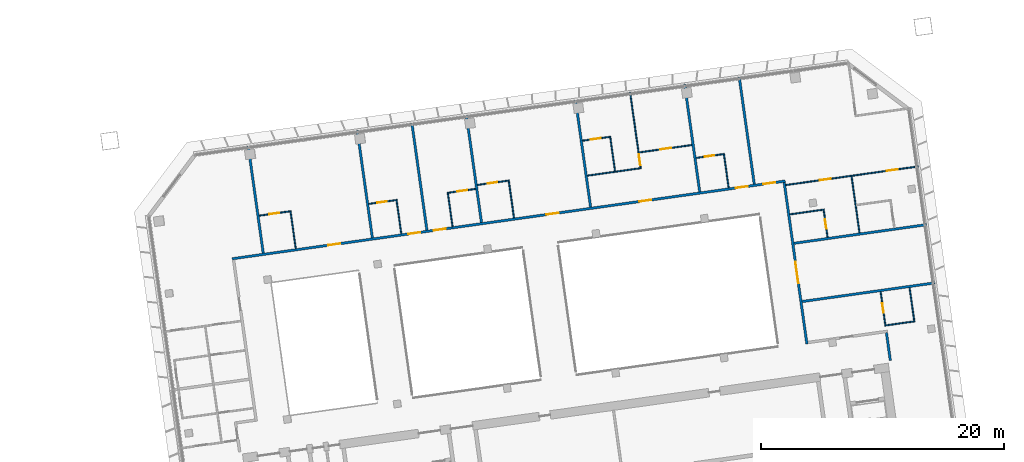
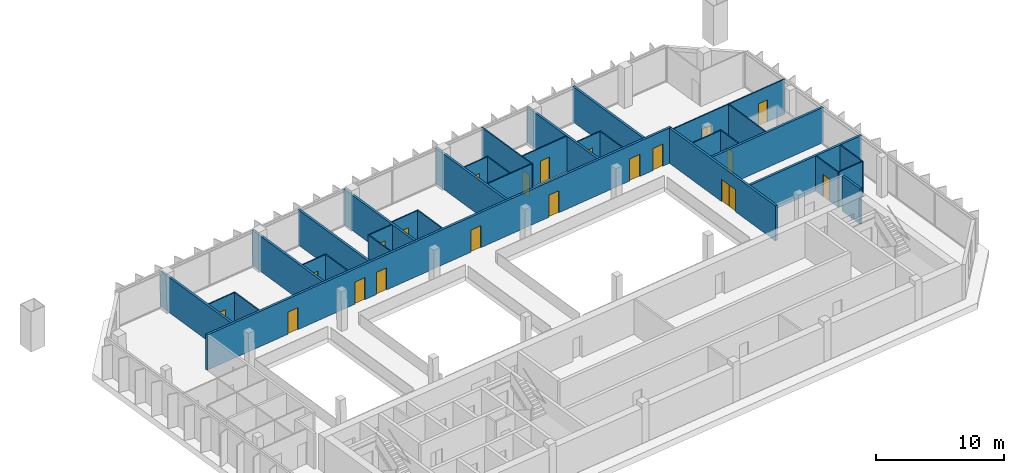
# One storey, part 22 of 26: 34 walls, 20 doors, 20 openings.
"""IFC4 building model written with IfcOpenShell, lengths in metres."""

from ifc_helpers import new_model, si_unit, direction, frame, frame_2d, origin, place, context, subcontext, project, spatial, rectangle, extrude, material, layer, layer_set, type_object, element, fill, save


model = new_model("IFC4")

# Units and contexts
model_context = context("Model", 3, precision=1e-05, world=origin(), true_north=direction((0.0, 1.0)))
body_context = subcontext(model_context, "Body", "Model", "MODEL_VIEW")
ifc_project = project(units=[si_unit("LENGTHUNIT", "METRE"), si_unit("AREAUNIT", "SQUARE_METRE"), si_unit("VOLUMEUNIT", "CUBIC_METRE"), si_unit("PLANEANGLEUNIT", "RADIAN"), si_unit("MASSUNIT", "GRAM", prefix="KILO")], contexts=[model_context])

# Site, building, storey
site_placement = place(None, origin())
site = spatial("IfcSite", under=ifc_project, at=site_placement, CompositionType="ELEMENT")
building_placement = place(site_placement, origin())
building = spatial("IfcBuilding", under=site, at=building_placement, Name="Mirante Cascada Hotel Towers", CompositionType="ELEMENT")
storey_placement = place(building_placement, frame((0.0, 0.0, 168.8)))
storey = spatial("IfcBuildingStorey", under=building, at=storey_placement, Name="L39", CompositionType="ELEMENT", Elevation=168.8)

# Walls
ifc_material_1 = material(Name="Fire-rated plasterboard on metal studs")
ifc_layer_1 = layer(ifc_material_1, 0.2)
ifc_layer_set_1 = layer_set([ifc_layer_1], Name="Compartment wall 200 EI 120")
wall_type_1 = type_object("IfcWallType", Name="Compartment wall 200 EI 120", PredefinedType="PARTITIONING", material=ifc_layer_set_1)
wall_1_placement = place(storey_placement, frame((81.4939, 5.237, 0.0), z_axis=(0.0, 0.0, 1.0), x_axis=(0.9902682, 0.1391721, 0.0)))
element("IfcWall", 1, at=wall_1_placement, inside=storey, type_object=wall_type_1, Name="Wall 2-L39-08", PredefinedType="PARTITIONING", context=body_context, shape_type="SweptSolid", body=[
    extrude(rectangle(XDim=11.0001, YDim=0.2, at=frame_2d((5.5, 0.0))), origin(), (0.0, 0.0, 1.0), 3.35),
])
wall_2_placement = place(storey_placement, frame((91.7142, 11.5542, 0.0), z_axis=(0.0, 0.0, 1.0), x_axis=(-0.990268, -0.1391733, 0.0)))
element("IfcWall", 2, at=wall_2_placement, inside=storey, type_object=wall_type_1, Name="Wall 2-L39-11", PredefinedType="PARTITIONING", context=body_context, shape_type="SweptSolid", body=[
    extrude(rectangle(XDim=11.0, YDim=0.2, at=frame_2d((5.5, 0.0))), origin(), (0.0, 0.0, 1.0), 3.35),
])

# Wall, openings, doors
wall_3_placement = place(storey_placement, frame((80.1022, 15.1397, 0.0), z_axis=(0.0, 0.0, 1.0), x_axis=(-0.9902679, -0.1391743, 0.0)))
wall_3 = element("IfcWall", 3, at=wall_3_placement, inside=storey, type_object=wall_type_1, Name="Wall 2-L39-15", PredefinedType="PARTITIONING", context=body_context, shape_type="SweptSolid", body=[
    extrude(rectangle(XDim=45.9, YDim=0.2, at=frame_2d((22.95, 0.0))), origin(), (0.0, 0.0, 1.0), 3.35),
])
opening_1_placement = place(wall_3_placement, frame((36.9314, 0.0, 0.0)))
opening_1 = element("IfcOpeningElement", 4, at=opening_1_placement, cuts=wall_3, Name="Opening D2-L39-11", PredefinedType="OPENING", context=body_context, shape_type="SweptSolid", body=[
    extrude(rectangle(XDim=1.0, YDim=2.1, at=frame_2d((0.5, 1.05))), frame((0.0, 0.1, 0.0), z_axis=(0.0, -1.0, 0.0), x_axis=(1.0, 0.0, 0.0)), (0.0, 0.0, 1.0), 0.2),
])
opening_2_placement = place(wall_3_placement, frame((30.2892, 0.0, 0.0)))
opening_2 = element("IfcOpeningElement", 5, at=opening_2_placement, cuts=wall_3, Name="Opening D2-L39-12", PredefinedType="OPENING", context=body_context, shape_type="SweptSolid", body=[
    extrude(rectangle(XDim=1.0, YDim=2.1, at=frame_2d((0.5, 1.05))), frame((0.0, 0.1, 0.0), z_axis=(0.0, -1.0, 0.0), x_axis=(1.0, 0.0, 0.0)), (0.0, 0.0, 1.0), 0.2),
])
opening_3_placement = place(wall_3_placement, frame((28.1611, 0.0, 0.0)))
opening_3 = element("IfcOpeningElement", 6, at=opening_3_placement, cuts=wall_3, Name="Opening D2-L39-13", PredefinedType="OPENING", context=body_context, shape_type="SweptSolid", body=[
    extrude(rectangle(XDim=1.0, YDim=2.1, at=frame_2d((0.5, 1.05))), frame((0.0, 0.1, 0.0), z_axis=(0.0, -1.0, 0.0), x_axis=(1.0, 0.0, 0.0)), (0.0, 0.0, 1.0), 0.2),
])
opening_4_placement = place(wall_3_placement, frame((18.8188, 0.0, 0.0)))
opening_4 = element("IfcOpeningElement", 7, at=opening_4_placement, cuts=wall_3, Name="Opening D2-L39-14", PredefinedType="OPENING", context=body_context, shape_type="SweptSolid", body=[
    extrude(rectangle(XDim=1.0, YDim=2.1, at=frame_2d((0.5, 1.05))), frame((0.0, 0.1, 0.0), z_axis=(0.0, -1.0, 0.0), x_axis=(1.0, 0.0, 0.0)), (0.0, 0.0, 1.0), 0.2),
])
opening_5_placement = place(wall_3_placement, frame((11.1125, 0.0, 0.0)))
opening_5 = element("IfcOpeningElement", 8, at=opening_5_placement, cuts=wall_3, Name="Opening D2-L39-15", PredefinedType="OPENING", context=body_context, shape_type="SweptSolid", body=[
    extrude(rectangle(XDim=1.0, YDim=2.1, at=frame_2d((0.5, 1.05))), frame((0.0, 0.1, 0.0), z_axis=(0.0, -1.0, 0.0), x_axis=(1.0, 0.0, 0.0)), (0.0, 0.0, 1.0), 0.2),
])
opening_6_placement = place(wall_3_placement, frame((3.1204, 0.0, 0.0)))
opening_6 = element("IfcOpeningElement", 9, at=opening_6_placement, cuts=wall_3, Name="Opening D2-L39-16", PredefinedType="OPENING", context=body_context, shape_type="SweptSolid", body=[
    extrude(rectangle(XDim=1.0, YDim=2.1, at=frame_2d((0.5, 1.05))), frame((0.0, 0.1, 0.0), z_axis=(0.0, -1.0, 0.0), x_axis=(1.0, 0.0, 0.0)), (0.0, 0.0, 1.0), 0.2),
])
opening_7_placement = place(wall_3_placement, frame((0.8282, 0.0, 0.0)))
opening_7 = element("IfcOpeningElement", 10, at=opening_7_placement, cuts=wall_3, Name="Opening D2-L39-17", PredefinedType="OPENING", context=body_context, shape_type="SweptSolid", body=[
    extrude(rectangle(XDim=1.0, YDim=2.1, at=frame_2d((0.5, 1.05))), frame((0.0, 0.1, 0.0), z_axis=(0.0, -1.0, 0.0), x_axis=(1.0, 0.0, 0.0)), (0.0, 0.0, 1.0), 0.2),
])
ifc_material_2 = material(Name="Fire-rated timber door leaf", Category="wood")
door_type_1 = type_object("IfcDoorType", Name="Entrance door DG1 1000x2100 EI 60", OperationType="SINGLE_SWING_LEFT", PredefinedType="DOOR", material=ifc_material_2)
door_1_placement = place(opening_1_placement, frame((1.0, 0.0, 0.0), z_axis=(0.0, 0.0, 1.0), x_axis=(-1.0, 0.0, 0.0)))
door_1 = element("IfcDoor", 11, at=door_1_placement, inside=storey, type_object=door_type_1, Name="Door D2-L39-11", OperationType="SINGLE_SWING_RIGHT", OverallHeight=2.1, OverallWidth=1.0, PredefinedType="DOOR", context=body_context, shape_type="SweptSolid", body=[
    extrude(rectangle(XDim=1.0, YDim=2.1, at=frame_2d((0.5, 1.05))), frame((0.0, 0.025, 0.0), z_axis=(0.0, -1.0, 0.0), x_axis=(1.0, 0.0, 0.0)), (0.0, 0.0, 1.0), 0.05),
])
fill(opening_1, door_1)
door_2_placement = place(opening_2_placement, frame((1.0, 0.0, 0.0), z_axis=(0.0, 0.0, 1.0), x_axis=(-1.0, 0.0, 0.0)))
door_2 = element("IfcDoor", 12, at=door_2_placement, inside=storey, type_object=door_type_1, Name="Door D2-L39-12", OperationType="SINGLE_SWING_RIGHT", OverallHeight=2.1, OverallWidth=1.0, PredefinedType="DOOR", context=body_context, shape_type="SweptSolid", body=[
    extrude(rectangle(XDim=1.0, YDim=2.1, at=frame_2d((0.5, 1.05))), frame((0.0, 0.025, 0.0), z_axis=(0.0, -1.0, 0.0), x_axis=(1.0, 0.0, 0.0)), (0.0, 0.0, 1.0), 0.05),
])
fill(opening_2, door_2)
door_3_placement = place(opening_3_placement, frame((1.0, 0.0, 0.0), z_axis=(0.0, 0.0, 1.0), x_axis=(-1.0, 0.0, 0.0)))
door_3 = element("IfcDoor", 13, at=door_3_placement, inside=storey, type_object=door_type_1, Name="Door D2-L39-13", OperationType="SINGLE_SWING_RIGHT", OverallHeight=2.1, OverallWidth=1.0, PredefinedType="DOOR", context=body_context, shape_type="SweptSolid", body=[
    extrude(rectangle(XDim=1.0, YDim=2.1, at=frame_2d((0.5, 1.05))), frame((0.0, 0.025, 0.0), z_axis=(0.0, -1.0, 0.0), x_axis=(1.0, 0.0, 0.0)), (0.0, 0.0, 1.0), 0.05),
])
fill(opening_3, door_3)
door_4_placement = place(opening_4_placement, frame((1.0, 0.0, 0.0), z_axis=(0.0, 0.0, 1.0), x_axis=(-1.0, 0.0, 0.0)))
door_4 = element("IfcDoor", 14, at=door_4_placement, inside=storey, type_object=door_type_1, Name="Door D2-L39-14", OperationType="SINGLE_SWING_RIGHT", OverallHeight=2.1, OverallWidth=1.0, PredefinedType="DOOR", context=body_context, shape_type="SweptSolid", body=[
    extrude(rectangle(XDim=1.0, YDim=2.1, at=frame_2d((0.5, 1.05))), frame((0.0, 0.025, 0.0), z_axis=(0.0, -1.0, 0.0), x_axis=(1.0, 0.0, 0.0)), (0.0, 0.0, 1.0), 0.05),
])
fill(opening_4, door_4)
door_5_placement = place(opening_5_placement, frame((1.0, 0.0, 0.0), z_axis=(0.0, 0.0, 1.0), x_axis=(-1.0, 0.0, 0.0)))
door_5 = element("IfcDoor", 15, at=door_5_placement, inside=storey, type_object=door_type_1, Name="Door D2-L39-15", OperationType="SINGLE_SWING_RIGHT", OverallHeight=2.1, OverallWidth=1.0, PredefinedType="DOOR", context=body_context, shape_type="SweptSolid", body=[
    extrude(rectangle(XDim=1.0, YDim=2.1, at=frame_2d((0.5, 1.05))), frame((0.0, 0.025, 0.0), z_axis=(0.0, -1.0, 0.0), x_axis=(1.0, 0.0, 0.0)), (0.0, 0.0, 1.0), 0.05),
])
fill(opening_5, door_5)
door_6_placement = place(opening_6_placement, frame((1.0, 0.0, 0.0), z_axis=(0.0, 0.0, 1.0), x_axis=(-1.0, 0.0, 0.0)))
door_6 = element("IfcDoor", 16, at=door_6_placement, inside=storey, type_object=door_type_1, Name="Door D2-L39-16", OperationType="SINGLE_SWING_RIGHT", OverallHeight=2.1, OverallWidth=1.0, PredefinedType="DOOR", context=body_context, shape_type="SweptSolid", body=[
    extrude(rectangle(XDim=1.0, YDim=2.1, at=frame_2d((0.5, 1.05))), frame((0.0, 0.025, 0.0), z_axis=(0.0, -1.0, 0.0), x_axis=(1.0, 0.0, 0.0)), (0.0, 0.0, 1.0), 0.05),
])
fill(opening_6, door_6)
door_7_placement = place(opening_7_placement, frame((1.0, 0.0, 0.0), z_axis=(0.0, 0.0, 1.0), x_axis=(-1.0, 0.0, 0.0)))
door_7 = element("IfcDoor", 17, at=door_7_placement, inside=storey, type_object=door_type_1, Name="Door D2-L39-17", OperationType="SINGLE_SWING_RIGHT", OverallHeight=2.1, OverallWidth=1.0, PredefinedType="DOOR", context=body_context, shape_type="SweptSolid", body=[
    extrude(rectangle(XDim=1.0, YDim=2.1, at=frame_2d((0.5, 1.05))), frame((0.0, 0.025, 0.0), z_axis=(0.0, -1.0, 0.0), x_axis=(1.0, 0.0, 0.0)), (0.0, 0.0, 1.0), 0.05),
])
fill(opening_7, door_7)

# Walls
for number, where, z_axis, x_axis, name in (
    (18, (37.2003, 9.2112, 0.0), (0.0, 0.0, 1.0), (-0.1391794, 0.9902672, 0.0), "Wall 2-L39-30"),
    (19, (46.1683, 10.4716, 0.0), (0.0, 0.0, 1.0), (-0.1391684, 0.9902687, 0.0), "Wall 2-L39-32"),
    (20, (50.6525, 11.1018, 0.0), (0.0, 0.0, 1.0), (-0.1391794, 0.9902672, 0.0), "Wall 2-L39-34"),
):
    element("IfcWall", number, at=place(storey_placement, frame(where, z_axis=z_axis, x_axis=x_axis)), inside=storey, type_object=wall_type_1, Name=name, PredefinedType="PARTITIONING", context=body_context, shape_type="SweptSolid", body=[
        extrude(rectangle(XDim=8.9, YDim=0.2, at=frame_2d((4.45, 0.0))), origin(), (0.0, 0.0, 1.0), 3.35),
    ])
for number, where, z_axis, x_axis, name in (
    (21, (55.1365, 11.732, 0.0), (0.0, 0.0, 1.0), (-0.13917, 0.9902685, 0.0), "Wall 2-L39-36"),
    (22, (64.1047, 12.9924, 0.0), (0.0, 0.0, 1.0), (-0.139181, 0.990267, 0.0), "Wall 2-L39-38"),
    (23, (71.8342, 23.0661, 0.0), (0.0, 0.0, 1.0), (0.13917, -0.9902685, 0.0), "Wall 2-L39-41"),
):
    element("IfcWall", number, at=place(storey_placement, frame(where, z_axis=z_axis, x_axis=x_axis)), inside=storey, type_object=wall_type_1, Name=name, PredefinedType="PARTITIONING", context=body_context, shape_type="SweptSolid", body=[
        extrude(rectangle(XDim=8.8999, YDim=0.2, at=frame_2d((4.45, 0.0))), origin(), (0.0, 0.0, 1.0), 3.35),
    ])
wall_4_placement = place(storey_placement, frame((76.3182, 23.6963, 0.0), z_axis=(0.0, 0.0, 1.0), x_axis=(0.1391794, -0.9902672, 0.0)))
element("IfcWall", 24, at=wall_4_placement, inside=storey, type_object=wall_type_1, Name="Wall 2-L39-43", PredefinedType="PARTITIONING", context=body_context, shape_type="SweptSolid", body=[
    extrude(rectangle(XDim=8.9, YDim=0.2, at=frame_2d((4.45, 0.0))), origin(), (0.0, 0.0, 1.0), 3.35),
])

# Wall, opening, door
wall_5_placement = place(storey_placement, frame((81.882, 1.7571, 0.0), z_axis=(0.0, 0.0, 1.0), x_axis=(-0.1391716, 0.9902683, 0.0)))
wall_5 = element("IfcWall", 25, at=wall_5_placement, inside=storey, type_object=wall_type_1, Name="Wall 2-L39-44", PredefinedType="PARTITIONING", context=body_context, shape_type="SweptSolid", body=[
    extrude(rectangle(XDim=13.4, YDim=0.2, at=frame_2d((6.7, 0.0))), origin(), (0.0, 0.0, 1.0), 3.35),
])
opening_8_placement = place(wall_5_placement, frame((5.0167, 0.0, 0.0)))
opening_8 = element("IfcOpeningElement", 26, at=opening_8_placement, cuts=wall_5, Name="Opening D2-L39-30", PredefinedType="OPENING", context=body_context, shape_type="SweptSolid", body=[
    extrude(rectangle(XDim=1.8, YDim=2.1, at=frame_2d((0.9, 1.05))), frame((0.0, 0.1, 0.0), z_axis=(0.0, -1.0, 0.0), x_axis=(1.0, 0.0, 0.0)), (0.0, 0.0, 1.0), 0.2),
])
ifc_material_3 = material(Name="Fire-rated timber door leaf", Category="wood")
door_type_2 = type_object("IfcDoorType", Name="Suite double door DG2 1800x2100 EI 60", OperationType="DOUBLE_DOOR_SINGLE_SWING", PredefinedType="DOOR", material=ifc_material_3)
door_8_placement = place(opening_8_placement, origin())
door_8 = element("IfcDoor", 27, at=door_8_placement, inside=storey, type_object=door_type_2, Name="Door D2-L39-30", OperationType="DOUBLE_DOOR_SINGLE_SWING", OverallHeight=2.1, OverallWidth=1.8, PredefinedType="DOOR", context=body_context, shape_type="SweptSolid", body=[
    extrude(rectangle(XDim=0.895, YDim=2.1, at=frame_2d((0.4475, 1.05))), frame((0.0, 0.025, 0.0), z_axis=(0.0, -1.0, 0.0), x_axis=(1.0, 0.0, 0.0)), (0.0, 0.0, 1.0), 0.05),
    extrude(rectangle(XDim=0.895, YDim=2.1, at=frame_2d((1.3525, 1.05))), frame((0.0, 0.025, 0.0), z_axis=(0.0, -1.0, 0.0), x_axis=(1.0, 0.0, 0.0)), (0.0, 0.0, 1.0), 0.05),
])
fill(opening_8, door_8)

# Walls
wall_6_placement = place(storey_placement, frame((88.4178, 2.6757, 0.0), z_axis=(0.0, 0.0, 1.0), x_axis=(0.1391749, -0.9902678, 0.0)))
element("IfcWall", 28, at=wall_6_placement, inside=storey, type_object=wall_type_1, Name="Wall 2-L39-47", PredefinedType="PARTITIONING", context=body_context, shape_type="SweptSolid", body=[
    extrude(rectangle(XDim=2.3, YDim=0.2, at=frame_2d((1.15, 0.0))), origin(), (0.0, 0.0, 1.0), 3.35),
])
ifc_material_4 = material(Name="Plasterboard on metal studs")
ifc_layer_2 = layer(ifc_material_4, 0.1)
ifc_layer_set_2 = layer_set([ifc_layer_2], Name="Partition 100")
wall_type_2 = type_object("IfcWallType", Name="Partition 100", PredefinedType="PARTITIONING", material=ifc_layer_set_2)
wall_7_placement = place(storey_placement, frame((90.6614, 3.5969, 0.0), z_axis=(0.0, 0.0, 1.0), x_axis=(-0.9902678, -0.1391749, 0.0)))
element("IfcWall", 29, at=wall_7_placement, inside=storey, type_object=wall_type_2, Name="Wall 2-L39-05", PredefinedType="PARTITIONING", context=body_context, shape_type="SweptSolid", body=[
    extrude(rectangle(XDim=2.3, YDim=0.1, at=frame_2d((1.15, 0.0))), origin(), (0.0, 0.0, 1.0), 3.35),
])
wall_8_placement = place(storey_placement, frame((80.4873, 12.3999, 0.0), z_axis=(0.0, 0.0, 1.0), x_axis=(0.9902649, 0.1391957, 0.0)))
element("IfcWall", 30, at=wall_8_placement, inside=storey, type_object=wall_type_2, Name="Wall 2-L39-12", PredefinedType="PARTITIONING", context=body_context, shape_type="SweptSolid", body=[
    extrude(rectangle(XDim=2.8499, YDim=0.1, at=frame_2d((1.425, 0.0))), origin(), (0.0, 0.0, 1.0), 3.35),
])

# Wall, openings, doors
wall_9_placement = place(storey_placement, frame((80.1486, 14.8096, 0.0), z_axis=(0.0, 0.0, 1.0), x_axis=(0.990268, 0.1391733, 0.0)))
wall_9 = element("IfcWall", 31, at=wall_9_placement, inside=storey, type_object=wall_type_2, Name="Wall 2-L39-14", PredefinedType="PARTITIONING", context=body_context, shape_type="SweptSolid", body=[
    extrude(rectangle(XDim=11.0, YDim=0.1, at=frame_2d((5.5, 0.0))), origin(), (0.0, 0.0, 1.0), 3.35),
])
opening_9_placement = place(wall_9_placement, frame((2.825, 0.0, 0.0)))
opening_9 = element("IfcOpeningElement", 32, at=opening_9_placement, cuts=wall_9, Name="Opening D2-L39-09", PredefinedType="OPENING", context=body_context, shape_type="SweptSolid", body=[
    extrude(rectangle(XDim=0.9, YDim=2.1, at=frame_2d((0.45, 1.05))), frame((0.0, 0.05, 0.0), z_axis=(0.0, -1.0, 0.0), x_axis=(1.0, 0.0, 0.0)), (0.0, 0.0, 1.0), 0.1),
])
opening_10_placement = place(wall_9_placement, frame((8.375, 0.0, 0.0)))
opening_10 = element("IfcOpeningElement", 33, at=opening_10_placement, cuts=wall_9, Name="Opening D2-L39-10", PredefinedType="OPENING", context=body_context, shape_type="SweptSolid", body=[
    extrude(rectangle(XDim=0.9, YDim=2.1, at=frame_2d((0.45, 1.05))), frame((0.0, 0.05, 0.0), z_axis=(0.0, -1.0, 0.0), x_axis=(1.0, 0.0, 0.0)), (0.0, 0.0, 1.0), 0.1),
])
ifc_material_5 = material(Name="Timber door leaf", Category="wood")
door_type_3 = type_object("IfcDoorType", Name="Room door DG3 900x2100", OperationType="SINGLE_SWING_LEFT", PredefinedType="DOOR", material=ifc_material_5)
door_9_placement = place(opening_9_placement, origin())
door_9 = element("IfcDoor", 34, at=door_9_placement, inside=storey, type_object=door_type_3, Name="Door D2-L39-09", OperationType="SINGLE_SWING_LEFT", OverallHeight=2.1, OverallWidth=0.9, PredefinedType="DOOR", context=body_context, shape_type="SweptSolid", body=[
    extrude(rectangle(XDim=0.9, YDim=2.1, at=frame_2d((0.45, 1.05))), frame((0.0, 0.025, 0.0), z_axis=(0.0, -1.0, 0.0), x_axis=(1.0, 0.0, 0.0)), (0.0, 0.0, 1.0), 0.05),
])
fill(opening_9, door_9)
door_10_placement = place(opening_10_placement, origin())
door_10 = element("IfcDoor", 35, at=door_10_placement, inside=storey, type_object=door_type_3, Name="Door D2-L39-10", OperationType="SINGLE_SWING_LEFT", OverallHeight=2.1, OverallWidth=0.9, PredefinedType="DOOR", context=body_context, shape_type="SweptSolid", body=[
    extrude(rectangle(XDim=0.9, YDim=2.1, at=frame_2d((0.45, 1.05))), frame((0.0, 0.025, 0.0), z_axis=(0.0, -1.0, 0.0), x_axis=(1.0, 0.0, 0.0)), (0.0, 0.0, 1.0), 0.05),
])
fill(opening_10, door_10)

# Wall
wall_10_placement = place(storey_placement, frame((63.8418, 15.581, 0.0), z_axis=(0.0, 0.0, 1.0), x_axis=(0.9902685, 0.1391698, 0.0)))
element("IfcWall", 36, at=wall_10_placement, inside=storey, type_object=wall_type_2, Name="Wall 2-L39-16", PredefinedType="PARTITIONING", context=body_context, shape_type="SweptSolid", body=[
    extrude(rectangle(XDim=4.3781, YDim=0.1, at=frame_2d((2.189, 0.0))), origin(), (0.0, 0.0, 1.0), 3.35),
])

# Wall, opening, door
wall_11_placement = place(storey_placement, frame((48.1058, 13.5714, 0.0), z_axis=(0.0, 0.0, 1.0), x_axis=(-0.9902643, -0.1391997, 0.0)))
wall_11 = element("IfcWall", 37, at=wall_11_placement, inside=storey, type_object=wall_type_2, Name="Wall 2-L39-17", PredefinedType="PARTITIONING", context=body_context, shape_type="SweptSolid", body=[
    extrude(rectangle(XDim=2.25, YDim=0.1, at=frame_2d((1.125, 0.0))), origin(), (0.0, 0.0, 1.0), 3.35),
])
opening_11_placement = place(wall_11_placement, frame((0.75, 0.0, 0.0)))
opening_11 = element("IfcOpeningElement", 38, at=opening_11_placement, cuts=wall_11, Name="Opening D2-L39-18", PredefinedType="OPENING", context=body_context, shape_type="SweptSolid", body=[
    extrude(rectangle(XDim=0.8, YDim=2.1, at=frame_2d((0.4, 1.05))), frame((0.0, 0.05, 0.0), z_axis=(0.0, -1.0, 0.0), x_axis=(1.0, 0.0, 0.0)), (0.0, 0.0, 1.0), 0.1),
])
ifc_material_6 = material(Name="Timber door leaf", Category="wood")
door_type_4 = type_object("IfcDoorType", Name="Bathroom door DG4 800x2100", OperationType="SINGLE_SWING_LEFT", PredefinedType="DOOR", material=ifc_material_6)
door_11_placement = place(opening_11_placement, frame((0.8, 0.0, 0.0), z_axis=(0.0, 0.0, 1.0), x_axis=(-1.0, 0.0, 0.0)))
door_11 = element("IfcDoor", 39, at=door_11_placement, inside=storey, type_object=door_type_4, Name="Door D2-L39-18", OperationType="SINGLE_SWING_RIGHT", OverallHeight=2.1, OverallWidth=0.8, PredefinedType="DOOR", context=body_context, shape_type="SweptSolid", body=[
    extrude(rectangle(XDim=0.8, YDim=2.1, at=frame_2d((0.4, 1.05))), frame((0.0, 0.025, 0.0), z_axis=(0.0, -1.0, 0.0), x_axis=(1.0, 0.0, 0.0)), (0.0, 0.0, 1.0), 0.05),
])
fill(opening_11, door_11)

wall_12_placement = place(storey_placement, frame((52.4197, 14.1777, 0.0), z_axis=(0.0, 0.0, 1.0), x_axis=(0.9902705, 0.1391561, 0.0)))
wall_12 = element("IfcWall", 40, at=wall_12_placement, inside=storey, type_object=wall_type_2, Name="Wall 2-L39-18", PredefinedType="PARTITIONING", context=body_context, shape_type="SweptSolid", body=[
    extrude(rectangle(XDim=2.25, YDim=0.1, at=frame_2d((1.125, 0.0))), origin(), (0.0, 0.0, 1.0), 3.35),
])
opening_12_placement = place(wall_12_placement, frame((0.75, 0.0, 0.0)))
opening_12 = element("IfcOpeningElement", 41, at=opening_12_placement, cuts=wall_12, Name="Opening D2-L39-19", PredefinedType="OPENING", context=body_context, shape_type="SweptSolid", body=[
    extrude(rectangle(XDim=0.8, YDim=2.1, at=frame_2d((0.4, 1.05))), frame((0.0, 0.05, 0.0), z_axis=(0.0, -1.0, 0.0), x_axis=(1.0, 0.0, 0.0)), (0.0, 0.0, 1.0), 0.1),
])
door_12_placement = place(opening_12_placement, origin())
door_12 = element("IfcDoor", 42, at=door_12_placement, inside=storey, type_object=door_type_4, Name="Door D2-L39-19", OperationType="SINGLE_SWING_LEFT", OverallHeight=2.1, OverallWidth=0.8, PredefinedType="DOOR", context=body_context, shape_type="SweptSolid", body=[
    extrude(rectangle(XDim=0.8, YDim=2.1, at=frame_2d((0.4, 1.05))), frame((0.0, 0.025, 0.0), z_axis=(0.0, -1.0, 0.0), x_axis=(1.0, 0.0, 0.0)), (0.0, 0.0, 1.0), 0.05),
])
fill(opening_12, door_12)

wall_13_placement = place(storey_placement, frame((75.0103, 17.3526, 0.0), z_axis=(0.0, 0.0, 1.0), x_axis=(-0.9902643, -0.1391997, 0.0)))
wall_13 = element("IfcWall", 43, at=wall_13_placement, inside=storey, type_object=wall_type_2, Name="Wall 2-L39-19", PredefinedType="PARTITIONING", context=body_context, shape_type="SweptSolid", body=[
    extrude(rectangle(XDim=2.25, YDim=0.1, at=frame_2d((1.125, 0.0))), origin(), (0.0, 0.0, 1.0), 3.35),
])
opening_13_placement = place(wall_13_placement, frame((0.75, 0.0, 0.0)))
opening_13 = element("IfcOpeningElement", 44, at=opening_13_placement, cuts=wall_13, Name="Opening D2-L39-20", PredefinedType="OPENING", context=body_context, shape_type="SweptSolid", body=[
    extrude(rectangle(XDim=0.8, YDim=2.1, at=frame_2d((0.4, 1.05))), frame((0.0, 0.05, 0.0), z_axis=(0.0, -1.0, 0.0), x_axis=(1.0, 0.0, 0.0)), (0.0, 0.0, 1.0), 0.1),
])
door_13_placement = place(opening_13_placement, frame((0.8, 0.0, 0.0), z_axis=(0.0, 0.0, 1.0), x_axis=(-1.0, 0.0, 0.0)))
door_13 = element("IfcDoor", 45, at=door_13_placement, inside=storey, type_object=door_type_4, Name="Door D2-L39-20", OperationType="SINGLE_SWING_RIGHT", OverallHeight=2.1, OverallWidth=0.8, PredefinedType="DOOR", context=body_context, shape_type="SweptSolid", body=[
    extrude(rectangle(XDim=0.8, YDim=2.1, at=frame_2d((0.4, 1.05))), frame((0.0, 0.025, 0.0), z_axis=(0.0, -1.0, 0.0), x_axis=(1.0, 0.0, 0.0)), (0.0, 0.0, 1.0), 0.05),
])
fill(opening_13, door_13)

wall_14_placement = place(storey_placement, frame((36.8679, 12.2949, 0.0), z_axis=(0.0, 0.0, 1.0), x_axis=(0.9902677, 0.1391755, 0.0)))
wall_14 = element("IfcWall", 46, at=wall_14_placement, inside=storey, type_object=wall_type_2, Name="Wall 2-L39-20", PredefinedType="PARTITIONING", context=body_context, shape_type="SweptSolid", body=[
    extrude(rectangle(XDim=2.55, YDim=0.1, at=frame_2d((1.275, 0.0))), origin(), (0.0, 0.0, 1.0), 3.35),
])
opening_14_placement = place(wall_14_placement, frame((0.85, 0.0, 0.0)))
opening_14 = element("IfcOpeningElement", 47, at=opening_14_placement, cuts=wall_14, Name="Opening D2-L39-21", PredefinedType="OPENING", context=body_context, shape_type="SweptSolid", body=[
    extrude(rectangle(XDim=0.8, YDim=2.1, at=frame_2d((0.4, 1.05))), frame((0.0, 0.05, 0.0), z_axis=(0.0, -1.0, 0.0), x_axis=(1.0, 0.0, 0.0)), (0.0, 0.0, 1.0), 0.1),
])
door_14_placement = place(opening_14_placement, origin())
door_14 = element("IfcDoor", 48, at=door_14_placement, inside=storey, type_object=door_type_4, Name="Door D2-L39-21", OperationType="SINGLE_SWING_LEFT", OverallHeight=2.1, OverallWidth=0.8, PredefinedType="DOOR", context=body_context, shape_type="SweptSolid", body=[
    extrude(rectangle(XDim=0.8, YDim=2.1, at=frame_2d((0.4, 1.05))), frame((0.0, 0.025, 0.0), z_axis=(0.0, -1.0, 0.0), x_axis=(1.0, 0.0, 0.0)), (0.0, 0.0, 1.0), 0.05),
])
fill(opening_14, door_14)

wall_15_placement = place(storey_placement, frame((57.3293, 15.1706, 0.0), z_axis=(0.0, 0.0, 1.0), x_axis=(-0.9902677, -0.1391755, 0.0)))
wall_15 = element("IfcWall", 49, at=wall_15_placement, inside=storey, type_object=wall_type_2, Name="Wall 2-L39-21", PredefinedType="PARTITIONING", context=body_context, shape_type="SweptSolid", body=[
    extrude(rectangle(XDim=2.55, YDim=0.1, at=frame_2d((1.275, 0.0))), origin(), (0.0, 0.0, 1.0), 3.35),
])
opening_15_placement = place(wall_15_placement, frame((0.9, 0.0, 0.0)))
opening_15 = element("IfcOpeningElement", 50, at=opening_15_placement, cuts=wall_15, Name="Opening D2-L39-22", PredefinedType="OPENING", context=body_context, shape_type="SweptSolid", body=[
    extrude(rectangle(XDim=0.8, YDim=2.1, at=frame_2d((0.4, 1.05))), frame((0.0, 0.05, 0.0), z_axis=(0.0, -1.0, 0.0), x_axis=(1.0, 0.0, 0.0)), (0.0, 0.0, 1.0), 0.1),
])
door_15_placement = place(opening_15_placement, frame((0.8, 0.0, 0.0), z_axis=(0.0, 0.0, 1.0), x_axis=(-1.0, 0.0, 0.0)))
door_15 = element("IfcDoor", 51, at=door_15_placement, inside=storey, type_object=door_type_4, Name="Door D2-L39-22", OperationType="SINGLE_SWING_RIGHT", OverallHeight=2.1, OverallWidth=0.8, PredefinedType="DOOR", context=body_context, shape_type="SweptSolid", body=[
    extrude(rectangle(XDim=0.8, YDim=2.1, at=frame_2d((0.4, 1.05))), frame((0.0, 0.025, 0.0), z_axis=(0.0, -1.0, 0.0), x_axis=(1.0, 0.0, 0.0)), (0.0, 0.0, 1.0), 0.05),
])
fill(opening_15, door_15)

wall_16_placement = place(storey_placement, frame((68.0954, 17.4916, 0.0), z_axis=(0.0, 0.0, 1.0), x_axis=(0.990269, 0.1391666, 0.0)))
wall_16 = element("IfcWall", 52, at=wall_16_placement, inside=storey, type_object=wall_type_2, Name="Wall 2-L39-22", PredefinedType="PARTITIONING", context=body_context, shape_type="SweptSolid", body=[
    extrude(rectangle(XDim=4.3782, YDim=0.1, at=frame_2d((2.1891, 0.0))), origin(), (0.0, 0.0, 1.0), 3.35),
])
opening_16_placement = place(wall_16_placement, frame((1.7641, 0.0, 0.0)))
opening_16 = element("IfcOpeningElement", 53, at=opening_16_placement, cuts=wall_16, Name="Opening D2-L39-23", PredefinedType="OPENING", context=body_context, shape_type="SweptSolid", body=[
    extrude(rectangle(XDim=0.9, YDim=2.1, at=frame_2d((0.45, 1.05))), frame((0.0, 0.05, 0.0), z_axis=(0.0, -1.0, 0.0), x_axis=(1.0, 0.0, 0.0)), (0.0, 0.0, 1.0), 0.1),
])
door_16_placement = place(opening_16_placement, frame((0.9, 0.0, 0.0), z_axis=(0.0, 0.0, 1.0), x_axis=(-1.0, 0.0, 0.0)))
door_16 = element("IfcDoor", 54, at=door_16_placement, inside=storey, type_object=door_type_3, Name="Door D2-L39-23", OperationType="SINGLE_SWING_RIGHT", OverallHeight=2.1, OverallWidth=0.9, PredefinedType="DOOR", context=body_context, shape_type="SweptSolid", body=[
    extrude(rectangle(XDim=0.9, YDim=2.1, at=frame_2d((0.45, 1.05))), frame((0.0, 0.025, 0.0), z_axis=(0.0, -1.0, 0.0), x_axis=(1.0, 0.0, 0.0)), (0.0, 0.0, 1.0), 0.05),
])
fill(opening_16, door_16)

wall_17_placement = place(storey_placement, frame((63.4382, 18.4527, 0.0), z_axis=(0.0, 0.0, 1.0), x_axis=(0.9902643, 0.1391997, 0.0)))
wall_17 = element("IfcWall", 55, at=wall_17_placement, inside=storey, type_object=wall_type_2, Name="Wall 2-L39-24", PredefinedType="PARTITIONING", context=body_context, shape_type="SweptSolid", body=[
    extrude(rectangle(XDim=2.25, YDim=0.1, at=frame_2d((1.125, 0.0))), origin(), (0.0, 0.0, 1.0), 3.35),
])
opening_17_placement = place(wall_17_placement, frame((0.7, 0.0, 0.0)))
opening_17 = element("IfcOpeningElement", 56, at=opening_17_placement, cuts=wall_17, Name="Opening D2-L39-24", PredefinedType="OPENING", context=body_context, shape_type="SweptSolid", body=[
    extrude(rectangle(XDim=0.8, YDim=2.1, at=frame_2d((0.4, 1.05))), frame((0.0, 0.05, 0.0), z_axis=(0.0, -1.0, 0.0), x_axis=(1.0, 0.0, 0.0)), (0.0, 0.0, 1.0), 0.1),
])
door_17_placement = place(opening_17_placement, origin())
door_17 = element("IfcDoor", 57, at=door_17_placement, inside=storey, type_object=door_type_4, Name="Door D2-L39-24", OperationType="SINGLE_SWING_LEFT", OverallHeight=2.1, OverallWidth=0.8, PredefinedType="DOOR", context=body_context, shape_type="SweptSolid", body=[
    extrude(rectangle(XDim=0.8, YDim=2.1, at=frame_2d((0.4, 1.05))), frame((0.0, 0.025, 0.0), z_axis=(0.0, -1.0, 0.0), x_axis=(1.0, 0.0, 0.0)), (0.0, 0.0, 1.0), 0.05),
])
fill(opening_17, door_17)

# Walls
wall_18_placement = place(storey_placement, frame((39.4356, 12.7063, 0.0), z_axis=(0.0, 0.0, 1.0), x_axis=(0.1391765, -0.9902676, 0.0)))
element("IfcWall", 58, at=wall_18_placement, inside=storey, type_object=wall_type_2, Name="Wall 2-L39-31", PredefinedType="PARTITIONING", context=body_context, shape_type="SweptSolid", body=[
    extrude(rectangle(XDim=3.15, YDim=0.1, at=frame_2d((1.575, 0.0))), origin(), (0.0, 0.0, 1.0), 3.35),
])
for number, where, z_axis, x_axis, name in (
    (59, (48.1483, 13.6279, 0.0), (0.0, 0.0, 1.0), (0.1391909, -0.9902656, 0.0), "Wall 2-L39-33"),
    (60, (52.3632, 14.2202, 0.0), (0.0, 0.0, 1.0), (0.1391909, -0.9902656, 0.0), "Wall 2-L39-35"),
):
    element("IfcWall", number, at=place(storey_placement, frame(where, z_axis=z_axis, x_axis=x_axis)), inside=storey, type_object=wall_type_2, Name=name, PredefinedType="PARTITIONING", context=body_context, shape_type="SweptSolid", body=[
        extrude(rectangle(XDim=2.85, YDim=0.1, at=frame_2d((1.425, 0.0))), origin(), (0.0, 0.0, 1.0), 3.35),
    ])
wall_19_placement = place(storey_placement, frame((57.3718, 15.2271, 0.0), z_axis=(0.0, 0.0, 1.0), x_axis=(0.1391721, -0.9902682, 0.0)))
element("IfcWall", 61, at=wall_19_placement, inside=storey, type_object=wall_type_2, Name="Wall 2-L39-37", PredefinedType="PARTITIONING", context=body_context, shape_type="SweptSolid", body=[
    extrude(rectangle(XDim=3.1501, YDim=0.1, at=frame_2d((1.575, 0.0))), origin(), (0.0, 0.0, 1.0), 3.35),
])
wall_20_placement = place(storey_placement, frame((65.7089, 18.8224, 0.0), z_axis=(0.0, 0.0, 1.0), x_axis=(0.1391714, -0.9902683, 0.0)))
element("IfcWall", 62, at=wall_20_placement, inside=storey, type_object=wall_type_2, Name="Wall 2-L39-39", PredefinedType="PARTITIONING", context=body_context, shape_type="SweptSolid", body=[
    extrude(rectangle(XDim=2.9, YDim=0.1, at=frame_2d((1.45, 0.0))), origin(), (0.0, 0.0, 1.0), 3.35),
])

# Wall, opening, door
wall_21_placement = place(storey_placement, frame((68.2338, 16.1477, 0.0), z_axis=(0.0, 0.0, 1.0), x_axis=(-0.1391656, 0.9902691, 0.0)))
wall_21 = element("IfcWall", 63, at=wall_21_placement, inside=storey, type_object=wall_type_2, Name="Wall 2-L39-40", PredefinedType="PARTITIONING", context=body_context, shape_type="SweptSolid", body=[
    extrude(rectangle(XDim=6.35, YDim=0.1, at=frame_2d((3.175, 0.0))), origin(), (0.0, 0.0, 1.0), 3.35),
])
opening_18_placement = place(wall_21_placement, frame((0.3, 0.0, 0.0)))
opening_18 = element("IfcOpeningElement", 64, at=opening_18_placement, cuts=wall_21, Name="Opening D2-L39-29", PredefinedType="OPENING", context=body_context, shape_type="SweptSolid", body=[
    extrude(rectangle(XDim=0.9, YDim=2.1, at=frame_2d((0.45, 1.05))), frame((0.0, 0.05, 0.0), z_axis=(0.0, -1.0, 0.0), x_axis=(1.0, 0.0, 0.0)), (0.0, 0.0, 1.0), 0.1),
])
door_18_placement = place(opening_18_placement, frame((0.9, 0.0, 0.0), z_axis=(0.0, 0.0, 1.0), x_axis=(-1.0, 0.0, 0.0)))
door_18 = element("IfcDoor", 65, at=door_18_placement, inside=storey, type_object=door_type_3, Name="Door D2-L39-29", OperationType="SINGLE_SWING_RIGHT", OverallHeight=2.1, OverallWidth=0.9, PredefinedType="DOOR", context=body_context, shape_type="SweptSolid", body=[
    extrude(rectangle(XDim=0.9, YDim=2.1, at=frame_2d((0.45, 1.05))), frame((0.0, 0.025, 0.0), z_axis=(0.0, -1.0, 0.0), x_axis=(1.0, 0.0, 0.0)), (0.0, 0.0, 1.0), 0.05),
])
fill(opening_18, door_18)

# Wall
wall_22_placement = place(storey_placement, frame((75.4495, 14.5868, 0.0), z_axis=(0.0, 0.0, 1.0), x_axis=(-0.1391957, 0.9902649, 0.0)))
element("IfcWall", 66, at=wall_22_placement, inside=storey, type_object=wall_type_2, Name="Wall 2-L39-42", PredefinedType="PARTITIONING", context=body_context, shape_type="SweptSolid", body=[
    extrude(rectangle(XDim=2.8499, YDim=0.1, at=frame_2d((1.425, 0.0))), origin(), (0.0, 0.0, 1.0), 3.35),
])

# Wall, opening, door
wall_23_placement = place(storey_placement, frame((83.267, 12.7401, 0.0), z_axis=(0.0, 0.0, 1.0), x_axis=(0.1391561, -0.9902705, 0.0)))
wall_23 = element("IfcWall", 67, at=wall_23_placement, inside=storey, type_object=wall_type_2, Name="Wall 2-L39-45", PredefinedType="PARTITIONING", context=body_context, shape_type="SweptSolid", body=[
    extrude(rectangle(XDim=2.25, YDim=0.1, at=frame_2d((1.125, 0.0))), origin(), (0.0, 0.0, 1.0), 3.35),
])
opening_19_placement = place(wall_23_placement, frame((0.75, 0.0, 0.0)))
opening_19 = element("IfcOpeningElement", 68, at=opening_19_placement, cuts=wall_23, Name="Opening D2-L39-31", PredefinedType="OPENING", context=body_context, shape_type="SweptSolid", body=[
    extrude(rectangle(XDim=0.8, YDim=2.1, at=frame_2d((0.4, 1.05))), frame((0.0, 0.05, 0.0), z_axis=(0.0, -1.0, 0.0), x_axis=(1.0, 0.0, 0.0)), (0.0, 0.0, 1.0), 0.1),
])
door_19_placement = place(opening_19_placement, frame((0.8, 0.0, 0.0), z_axis=(0.0, 0.0, 1.0), x_axis=(-1.0, 0.0, 0.0)))
door_19 = element("IfcDoor", 69, at=door_19_placement, inside=storey, type_object=door_type_4, Name="Door D2-L39-31", OperationType="SINGLE_SWING_RIGHT", OverallHeight=2.1, OverallWidth=0.8, PredefinedType="DOOR", context=body_context, shape_type="SweptSolid", body=[
    extrude(rectangle(XDim=0.8, YDim=2.1, at=frame_2d((0.4, 1.05))), frame((0.0, 0.025, 0.0), z_axis=(0.0, -1.0, 0.0), x_axis=(1.0, 0.0, 0.0)), (0.0, 0.0, 1.0), 0.05),
])
fill(opening_19, door_19)

# Wall
wall_24_placement = place(storey_placement, frame((86.2043, 10.8808, 0.0), z_axis=(0.0, 0.0, 1.0), x_axis=(-0.139173, 0.9902681, 0.0)))
element("IfcWall", 70, at=wall_24_placement, inside=storey, type_object=wall_type_2, Name="Wall 2-L39-46", PredefinedType="PARTITIONING", context=body_context, shape_type="SweptSolid", body=[
    extrude(rectangle(XDim=4.6834, YDim=0.1, at=frame_2d((2.3417, 0.0))), origin(), (0.0, 0.0, 1.0), 3.35),
])

# Wall, opening, door
wall_25_placement = place(storey_placement, frame((88.3412, 3.2203, 0.0), z_axis=(0.0, 0.0, 1.0), x_axis=(-0.1391564, 0.9902704, 0.0)))
wall_25 = element("IfcWall", 71, at=wall_25_placement, inside=storey, type_object=wall_type_2, Name="Wall 2-L39-48", PredefinedType="PARTITIONING", context=body_context, shape_type="SweptSolid", body=[
    extrude(rectangle(XDim=2.85, YDim=0.1, at=frame_2d((1.425, 0.0))), origin(), (0.0, 0.0, 1.0), 3.35),
])
opening_20_placement = place(wall_25_placement, frame((1.1, 0.0, 0.0)))
opening_20 = element("IfcOpeningElement", 72, at=opening_20_placement, cuts=wall_25, Name="Opening D2-L39-32", PredefinedType="OPENING", context=body_context, shape_type="SweptSolid", body=[
    extrude(rectangle(XDim=0.8, YDim=2.1, at=frame_2d((0.4, 1.05))), frame((0.0, 0.05, 0.0), z_axis=(0.0, -1.0, 0.0), x_axis=(1.0, 0.0, 0.0)), (0.0, 0.0, 1.0), 0.1),
])
door_20_placement = place(opening_20_placement, frame((0.8, 0.0, 0.0), z_axis=(0.0, 0.0, 1.0), x_axis=(-1.0, 0.0, 0.0)))
door_20 = element("IfcDoor", 73, at=door_20_placement, inside=storey, type_object=door_type_4, Name="Door D2-L39-32", OperationType="SINGLE_SWING_RIGHT", OverallHeight=2.1, OverallWidth=0.8, PredefinedType="DOOR", context=body_context, shape_type="SweptSolid", body=[
    extrude(rectangle(XDim=0.8, YDim=2.1, at=frame_2d((0.4, 1.05))), frame((0.0, 0.025, 0.0), z_axis=(0.0, -1.0, 0.0), x_axis=(1.0, 0.0, 0.0)), (0.0, 0.0, 1.0), 0.05),
])
fill(opening_20, door_20)

# Wall
wall_26_placement = place(storey_placement, frame((90.3212, 6.3766, 0.0), z_axis=(0.0, 0.0, 1.0), x_axis=(0.1391957, -0.9902649, 0.0)))
element("IfcWall", 74, at=wall_26_placement, inside=storey, type_object=wall_type_2, Name="Wall 2-L39-51", PredefinedType="PARTITIONING", context=body_context, shape_type="SweptSolid", body=[
    extrude(rectangle(XDim=2.8499, YDim=0.1, at=frame_2d((1.425, 0.0))), origin(), (0.0, 0.0, 1.0), 3.35),
])

save(model, "model.ifc")
